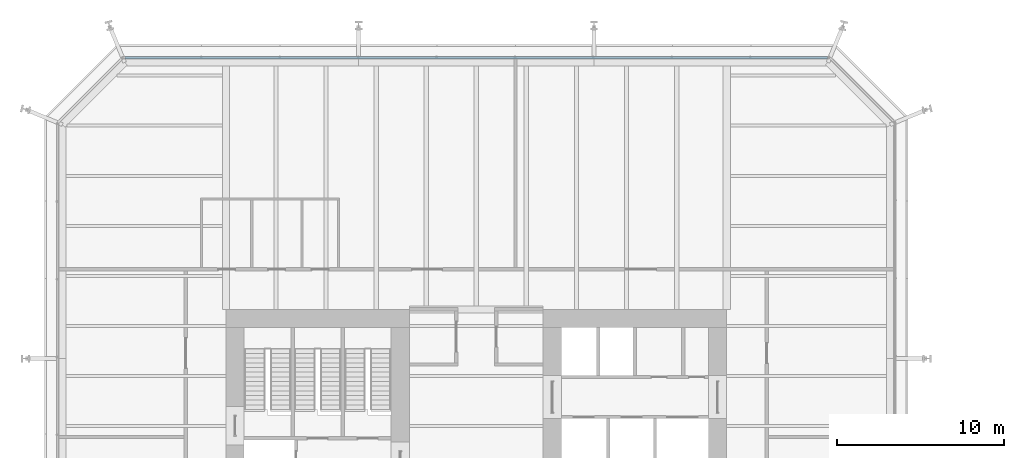
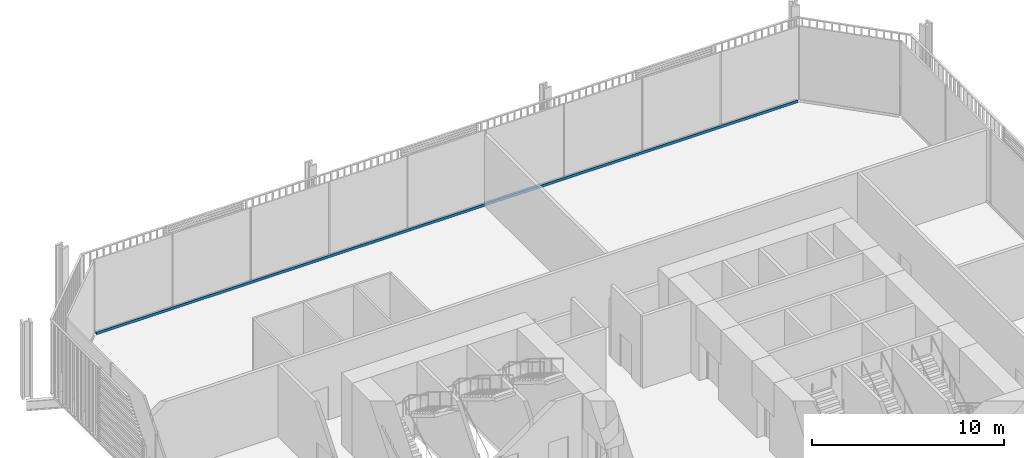
# One storey, part 15 of 25: 1 member, 1 element without a shape of its own.
"""IFC4 building model written with IfcOpenShell, lengths in metres."""

from ifc_helpers import new_model, si_unit, direction, frame, origin, origin_2d, place, context, subcontext, project, spatial, rectangle, extrude, material, layer, layer_set, material_profile, profile_set, type_object, element, aggregate, save


model = new_model("IFC4")

# Units and contexts
model_context = context("Model", 3, precision=1e-05, world=origin(), true_north=direction((0.0, 1.0)))
body_context = subcontext(model_context, "Body", "Model", "MODEL_VIEW")
ifc_project = project(units=[si_unit("LENGTHUNIT", "METRE"), si_unit("AREAUNIT", "SQUARE_METRE"), si_unit("VOLUMEUNIT", "CUBIC_METRE"), si_unit("PLANEANGLEUNIT", "RADIAN"), si_unit("MASSUNIT", "GRAM", prefix="KILO")], contexts=[model_context])

# Site, building, storey
site_placement = place(None, origin())
site = spatial("IfcSite", under=ifc_project, at=site_placement, CompositionType="ELEMENT")
building_placement = place(site_placement, origin())
building = spatial("IfcBuilding", under=site, at=building_placement, Name="Millrace Tower", CompositionType="ELEMENT")
storey_placement = place(building_placement, frame((0.0, 0.0, 6.5)))
storey = spatial("IfcBuildingStorey", under=building, at=storey_placement, Name="L02", CompositionType="ELEMENT", Elevation=6.5)

# Curtain wall, member
ifc_material_1 = material(Name="Aluminium and glass", Category="aluminium")
ifc_layer = layer(ifc_material_1, 0.14990234375)
ifc_layer_set = layer_set([ifc_layer], Name="Aluminium and glass")
curtain_wall_type = type_object("IfcCurtainWallType", Name="CW-2 data hall insulated curtain wall", PredefinedType="NOTDEFINED", material=ifc_layer_set)
curtain_wall_placement = place(storey_placement, origin())
curtain_wall = element("IfcCurtainWall", 1, at=curtain_wall_placement, inside=storey, type_object=curtain_wall_type, Name="Curtain wall AW2-F04 L02", PredefinedType="NOTDEFINED")
ifc_material_2 = material(Name="Aluminium", Category="aluminium")
ifc_material_profile = material_profile(ifc_material_2, rectangle(XDim=0.14990234375, YDim=0.159912109375, at=origin_2d()))
ifc_profile_set = profile_set([ifc_material_profile], Name="Aluminium")
member_type = type_object("IfcMemberType", Name="CW-2 data hall insulated curtain wall transom", PredefinedType="USERDEFINED", material=ifc_profile_set)
member_placement = place(storey_placement, frame((21.050048828125, 25.074951171875, 0.080078125), z_axis=(-1.0, 0.0, 0.0), x_axis=(0.0, -1.0, 0.0)))
member = element("IfcMember", 2, at=member_placement, type_object=member_type, Name="CW2 transom AW2-F04.1", ObjectType="TRANSOM", PredefinedType="USERDEFINED", context=body_context, shape_type="SweptSolid", body=[
    extrude(rectangle(XDim=0.14990234375, YDim=0.159912109375, at=origin_2d()), origin(), (0.0, 0.0, 1.0), 42.10009765625),
])
aggregate(curtain_wall, [member])

save(model, "model.ifc")
